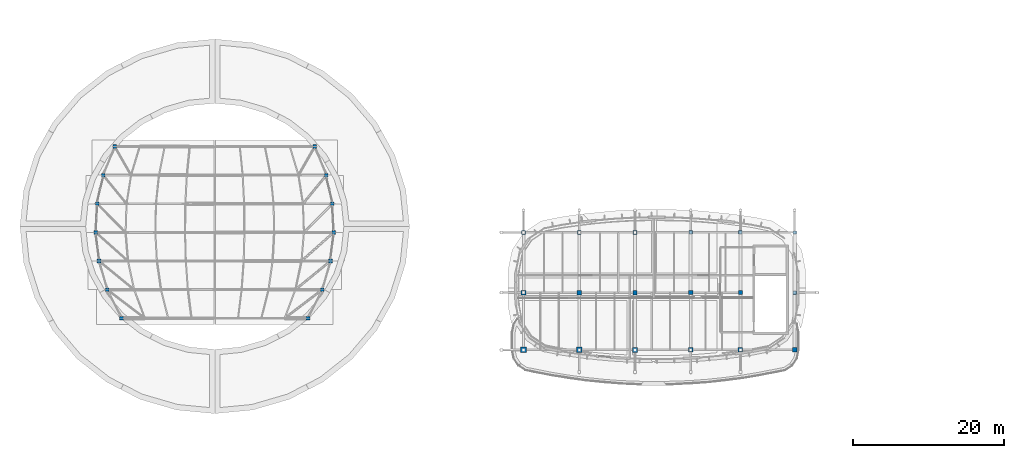
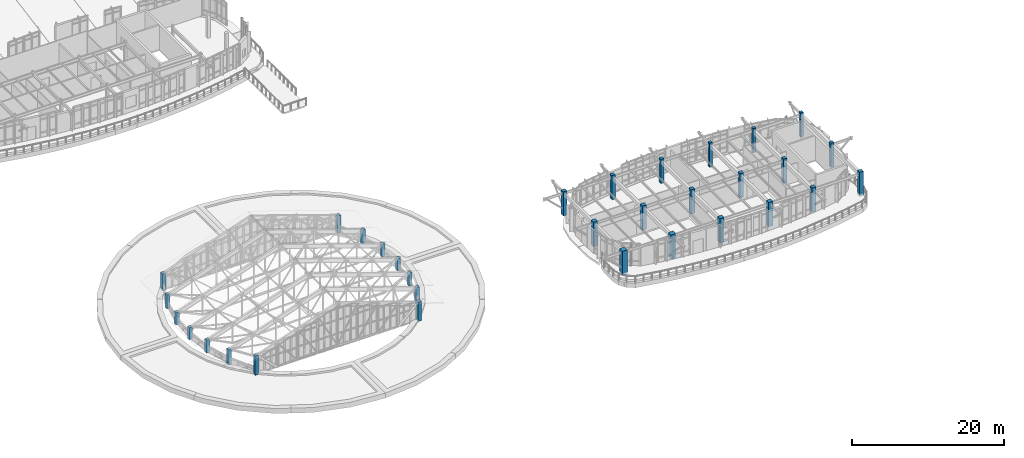
# One storey, part 1 of 105: 32 columns.
"""IFC4 building model written with IfcOpenShell, lengths in metres."""

from ifc_helpers import new_model, si_unit, direction, frame, origin, origin_2d, place, context, subcontext, project, spatial, rectangle, extrude, material, material_profile, profile_set, type_object, element, save


model = new_model("IFC4")

# Units and contexts
model_context = context("Model", 3, precision=1e-05, world=origin(), true_north=direction((0.0, 1.0)))
body_context = subcontext(model_context, "Body", "Model", "MODEL_VIEW")
ifc_project = project(units=[si_unit("LENGTHUNIT", "METRE"), si_unit("AREAUNIT", "SQUARE_METRE"), si_unit("VOLUMEUNIT", "CUBIC_METRE"), si_unit("PLANEANGLEUNIT", "RADIAN"), si_unit("MASSUNIT", "GRAM", prefix="KILO")], contexts=[model_context])

# Site, building, storey
site_placement = place(None, origin())
site = spatial("IfcSite", under=ifc_project, at=site_placement, CompositionType="ELEMENT")
building_placement = place(site_placement, origin())
building = spatial("IfcBuilding", under=site, at=building_placement, Name="Corveleigh Park Community Centre", CompositionType="ELEMENT")
storey_placement = place(building_placement, frame((0.0, 0.0, 8.699951171875)))
storey = spatial("IfcBuildingStorey", under=building, at=storey_placement, Name="L02", CompositionType="ELEMENT", Elevation=8.699951171875)

# Columns
ifc_material = material(Name="Concrete C40/50", Category="concrete")
ifc_material_profile_1 = material_profile(ifc_material, rectangle(XDim=0.425048828125, YDim=0.425048828125, at=origin_2d()), Name="RC-425x425", Category="concrete")
ifc_profile_set_1 = profile_set([ifc_material_profile_1], Name="Concrete C40/50")
column_type_1 = type_object("IfcColumnType", Name="COL-RC-425x425", PredefinedType="COLUMN", material=ifc_profile_set_1)
column_1_placement = place(storey_placement, frame((108.0, 26.800048828125, 0.0), z_axis=(0.0, 0.0, 1.0), x_axis=(1.0, 0.0, 0.0)))
element("IfcColumn", 1, at=column_1_placement, inside=storey, type_object=column_type_1, Name="Column V3-X5Y2 L02", PredefinedType="COLUMN", context=body_context, shape_type="SweptSolid", body=[
    extrude(rectangle(XDim=0.425048828125, YDim=0.425048828125, at=origin_2d()), origin(), (0.0, 0.0, 1.0), 3.900146484375),
])
ifc_material_profile_2 = material_profile(ifc_material, rectangle(XDim=0.449951171875, YDim=0.449951171875, at=origin_2d()), Name="RC-450x450", Category="concrete")
ifc_profile_set_2 = profile_set([ifc_material_profile_2], Name="Concrete C40/50")
column_type_2 = type_object("IfcColumnType", Name="COL-RC-450x450", PredefinedType="COLUMN", material=ifc_profile_set_2)
column_2_placement = place(storey_placement, frame((100.800048828125, 26.800048828125, 0.0), z_axis=(0.0, 0.0, 1.0), x_axis=(1.0, 0.0, 0.0)))
element("IfcColumn", 2, at=column_2_placement, inside=storey, type_object=column_type_2, Name="Column V3-X4Y2 L02", PredefinedType="COLUMN", context=body_context, shape_type="SweptSolid", body=[
    extrude(rectangle(XDim=0.449951171875, YDim=0.449951171875, at=origin_2d()), origin(), (0.0, 0.0, 1.0), 3.900146484375),
])
ifc_material_profile_3 = material_profile(ifc_material, rectangle(XDim=0.47509765625, YDim=0.47509765625, at=origin_2d()), Name="RC-475x475", Category="concrete")
ifc_profile_set_3 = profile_set([ifc_material_profile_3], Name="Concrete C40/50")
column_type_3 = type_object("IfcColumnType", Name="COL-RC-475x475", PredefinedType="COLUMN", material=ifc_profile_set_3)
column_3_placement = place(storey_placement, frame((94.199951171875, 26.800048828125, 0.0), z_axis=(0.0, 0.0, 1.0), x_axis=(1.0, 0.0, 0.0)))
element("IfcColumn", 3, at=column_3_placement, inside=storey, type_object=column_type_3, Name="Column V3-X3Y2 L02", PredefinedType="COLUMN", context=body_context, shape_type="SweptSolid", body=[
    extrude(rectangle(XDim=0.47509765625, YDim=0.47509765625, at=origin_2d()), origin(), (0.0, 0.0, 1.0), 3.900146484375),
])
ifc_material_profile_4 = material_profile(ifc_material, rectangle(XDim=0.5, YDim=0.5, at=origin_2d()), Name="RC-500x500", Category="concrete")
ifc_profile_set_4 = profile_set([ifc_material_profile_4], Name="Concrete C40/50")
column_type_4 = type_object("IfcColumnType", Name="COL-RC-500x500", PredefinedType="COLUMN", material=ifc_profile_set_4)
for number, where, z_axis, x_axis, name in (
    (4, (18.634033203125, 15.39990234375, 0.0), (0.0, 0.0, 1.0), (1.0, 0.0, 0.0), "Column V1-W1 L02"),
    (5, (43.365966796875, 15.39990234375, 0.0), (0.0, 0.0, 1.0), (1.0, 0.0, 0.0), "Column V1-E1 L02"),
):
    element("IfcColumn", number, at=place(storey_placement, frame(where, z_axis=z_axis, x_axis=x_axis)), inside=storey, type_object=column_type_4, Name=name, PredefinedType="COLUMN", context=body_context, shape_type="SweptSolid", body=[
        extrude(rectangle(XDim=0.5, YDim=0.5, at=origin_2d()), origin(), (0.0, 0.0, 1.0), 3.090087890625),
    ])
for number, where, z_axis, x_axis, name in (
    (6, (16.72509765625, 19.199951171875, 0.0), (0.0, 0.0, 1.0), (1.0, 0.0, 0.0), "Column V1-W2 L02"),
    (7, (45.27490234375, 19.199951171875, 0.0), (0.0, 0.0, 1.0), (1.0, 0.0, 0.0), "Column V1-E2 L02"),
):
    element("IfcColumn", number, at=place(storey_placement, frame(where, z_axis=z_axis, x_axis=x_axis)), inside=storey, type_object=column_type_4, Name=name, PredefinedType="COLUMN", context=body_context, shape_type="SweptSolid", body=[
        extrude(rectangle(XDim=0.5, YDim=0.5, at=origin_2d()), origin(), (0.0, 0.0, 1.0), 2.43798828125),
    ])
for number, where, z_axis, x_axis, name in (
    (8, (15.64111328125, 23.0, 0.0), (0.0, 0.0, 1.0), (1.0, 0.0, 0.0), "Column V1-W3 L02"),
    (9, (46.35888671875, 23.0, 0.0), (0.0, 0.0, 1.0), (1.0, 0.0, 0.0), "Column V1-E3 L02"),
):
    element("IfcColumn", number, at=place(storey_placement, frame(where, z_axis=z_axis, x_axis=x_axis)), inside=storey, type_object=column_type_4, Name=name, PredefinedType="COLUMN", context=body_context, shape_type="SweptSolid", body=[
        extrude(rectangle(XDim=0.5, YDim=0.5, at=origin_2d()), origin(), (0.0, 0.0, 1.0), 2.067138671875),
    ])
for number, where, z_axis, x_axis, name in (
    (10, (15.212890625, 26.800048828125, 0.0), (0.0, 0.0, 1.0), (1.0, 0.0, 0.0), "Column V1-W4 L02"),
    (11, (46.787109375, 26.800048828125, 0.0), (0.0, 0.0, 1.0), (1.0, 0.0, 0.0), "Column V1-E4 L02"),
):
    element("IfcColumn", number, at=place(storey_placement, frame(where, z_axis=z_axis, x_axis=x_axis)), inside=storey, type_object=column_type_4, Name=name, PredefinedType="COLUMN", context=body_context, shape_type="SweptSolid", body=[
        extrude(rectangle(XDim=0.5, YDim=0.5, at=origin_2d()), origin(), (0.0, 0.0, 1.0), 1.921142578125),
    ])
for number, where, z_axis, x_axis, name in (
    (12, (15.385986328125, 30.60009765625, 0.0), (0.0, 0.0, 1.0), (1.0, 0.0, 0.0), "Column V1-W5 L02"),
    (13, (46.614013671875, 30.60009765625, 0.0), (0.0, 0.0, 1.0), (1.0, 0.0, 0.0), "Column V1-E5 L02"),
):
    element("IfcColumn", number, at=place(storey_placement, frame(where, z_axis=z_axis, x_axis=x_axis)), inside=storey, type_object=column_type_4, Name=name, PredefinedType="COLUMN", context=body_context, shape_type="SweptSolid", body=[
        extrude(rectangle(XDim=0.5, YDim=0.5, at=origin_2d()), origin(), (0.0, 0.0, 1.0), 1.97998046875),
    ])
for number, where, z_axis, x_axis, name in (
    (14, (16.180908203125, 34.39990234375, 0.0), (0.0, 0.0, 1.0), (1.0, 0.0, 0.0), "Column V1-W6 L02"),
    (15, (45.819091796875, 34.39990234375, 0.0), (0.0, 0.0, 1.0), (1.0, 0.0, 0.0), "Column V1-E6 L02"),
):
    element("IfcColumn", number, at=place(storey_placement, frame(where, z_axis=z_axis, x_axis=x_axis)), inside=storey, type_object=column_type_4, Name=name, PredefinedType="COLUMN", context=body_context, shape_type="SweptSolid", body=[
        extrude(rectangle(XDim=0.5, YDim=0.5, at=origin_2d()), origin(), (0.0, 0.0, 1.0), 2.251953125),
    ])
for number, where, z_axis, x_axis, name in (
    (16, (17.7099609375, 38.199951171875, 0.0), (0.0, 0.0, 1.0), (1.0, 0.0, 0.0), "Column V1-W7 L02"),
    (17, (44.2900390625, 38.199951171875, 0.0), (0.0, 0.0, 1.0), (1.0, 0.0, 0.0), "Column V1-E7 L02"),
):
    element("IfcColumn", number, at=place(storey_placement, frame(where, z_axis=z_axis, x_axis=x_axis)), inside=storey, type_object=column_type_4, Name=name, PredefinedType="COLUMN", context=body_context, shape_type="SweptSolid", body=[
        extrude(rectangle(XDim=0.5, YDim=0.5, at=origin_2d()), origin(), (0.0, 0.0, 1.0), 2.774169921875),
    ])
for number, where, z_axis, x_axis, name in (
    (18, (86.800048828125, 26.800048828125, 0.0), (0.0, 0.0, 1.0), (1.0, 0.0, 0.0), "Column V3-X2Y2 L02"),
    (19, (108.0, 18.800048828125, 0.0), (0.0, 0.0, 1.0), (1.0, 0.0, 0.0), "Column V3-X5Y1 L02"),
):
    element("IfcColumn", number, at=place(storey_placement, frame(where, z_axis=z_axis, x_axis=x_axis)), inside=storey, type_object=column_type_4, Name=name, PredefinedType="COLUMN", context=body_context, shape_type="SweptSolid", body=[
        extrude(rectangle(XDim=0.5, YDim=0.5, at=origin_2d()), origin(), (0.0, 0.0, 1.0), 3.900146484375),
    ])
ifc_material_profile_5 = material_profile(ifc_material, rectangle(XDim=0.52490234375, YDim=0.52490234375, at=origin_2d()), Name="RC-525x525", Category="concrete")
ifc_profile_set_5 = profile_set([ifc_material_profile_5], Name="Concrete C40/50")
column_type_5 = type_object("IfcColumnType", Name="COL-RC-525x525", PredefinedType="COLUMN", material=ifc_profile_set_5)
for number, where, z_axis, x_axis, name in (
    (20, (79.39990234375, 26.800048828125, 0.0), (0.0, 0.0, 1.0), (1.0, 0.0, 0.0), "Column V3-X1Y2 L02"),
    (21, (100.800048828125, 18.800048828125, 0.0), (0.0, 0.0, 1.0), (1.0, 0.0, 0.0), "Column V3-X4Y1 L02"),
):
    element("IfcColumn", number, at=place(storey_placement, frame(where, z_axis=z_axis, x_axis=x_axis)), inside=storey, type_object=column_type_5, Name=name, PredefinedType="COLUMN", context=body_context, shape_type="SweptSolid", body=[
        extrude(rectangle(XDim=0.52490234375, YDim=0.52490234375, at=origin_2d()), origin(), (0.0, 0.0, 1.0), 3.900146484375),
    ])
ifc_material_profile_6 = material_profile(ifc_material, rectangle(XDim=0.550048828125, YDim=0.550048828125, at=origin_2d()), Name="RC-550x550", Category="concrete")
ifc_profile_set_6 = profile_set([ifc_material_profile_6], Name="Concrete C40/50")
column_type_6 = type_object("IfcColumnType", Name="COL-RC-550x550", PredefinedType="COLUMN", material=ifc_profile_set_6)
for number, where, z_axis, x_axis, name in (
    (22, (72.0, 26.800048828125, 0.0), (0.0, 0.0, 1.0), (1.0, 0.0, 0.0), "Column V3-X0Y2 L02"),
    (23, (94.199951171875, 18.800048828125, 0.0), (0.0, 0.0, 1.0), (1.0, 0.0, 0.0), "Column V3-X3Y1 L02"),
):
    element("IfcColumn", number, at=place(storey_placement, frame(where, z_axis=z_axis, x_axis=x_axis)), inside=storey, type_object=column_type_6, Name=name, PredefinedType="COLUMN", context=body_context, shape_type="SweptSolid", body=[
        extrude(rectangle(XDim=0.550048828125, YDim=0.550048828125, at=origin_2d()), origin(), (0.0, 0.0, 1.0), 3.900146484375),
    ])
ifc_material_profile_7 = material_profile(ifc_material, rectangle(XDim=0.574951171875, YDim=0.574951171875, at=origin_2d()), Name="RC-575x575", Category="concrete")
ifc_profile_set_7 = profile_set([ifc_material_profile_7], Name="Concrete C40/50")
column_type_7 = type_object("IfcColumnType", Name="COL-RC-575x575", PredefinedType="COLUMN", material=ifc_profile_set_7)
for number, where, z_axis, x_axis, name in (
    (24, (86.800048828125, 18.800048828125, 0.0), (0.0, 0.0, 1.0), (1.0, 0.0, 0.0), "Column V3-X2Y1 L02"),
    (25, (108.0, 11.199951171875, 0.0), (0.0, 0.0, 1.0), (1.0, 0.0, 0.0), "Column V3-X5Y0 L02"),
):
    element("IfcColumn", number, at=place(storey_placement, frame(where, z_axis=z_axis, x_axis=x_axis)), inside=storey, type_object=column_type_7, Name=name, PredefinedType="COLUMN", context=body_context, shape_type="SweptSolid", body=[
        extrude(rectangle(XDim=0.574951171875, YDim=0.574951171875, at=origin_2d()), origin(), (0.0, 0.0, 1.0), 3.900146484375),
    ])
ifc_material_profile_8 = material_profile(ifc_material, rectangle(XDim=0.60009765625, YDim=0.60009765625, at=origin_2d()), Name="RC-600x600", Category="concrete")
ifc_profile_set_8 = profile_set([ifc_material_profile_8], Name="Concrete C40/50")
column_type_8 = type_object("IfcColumnType", Name="COL-RC-600x600", PredefinedType="COLUMN", material=ifc_profile_set_8)
for number, where, z_axis, x_axis, name in (
    (26, (79.39990234375, 18.800048828125, 0.0), (0.0, 0.0, 1.0), (1.0, 0.0, 0.0), "Column V3-X1Y1 L02"),
    (27, (100.800048828125, 11.199951171875, 0.0), (0.0, 0.0, 1.0), (1.0, 0.0, 0.0), "Column V3-X4Y0 L02"),
):
    element("IfcColumn", number, at=place(storey_placement, frame(where, z_axis=z_axis, x_axis=x_axis)), inside=storey, type_object=column_type_8, Name=name, PredefinedType="COLUMN", context=body_context, shape_type="SweptSolid", body=[
        extrude(rectangle(XDim=0.60009765625, YDim=0.60009765625, at=origin_2d()), origin(), (0.0, 0.0, 1.0), 3.900146484375),
    ])
ifc_material_profile_9 = material_profile(ifc_material, rectangle(XDim=0.625, YDim=0.625, at=origin_2d()), Name="RC-625x625", Category="concrete")
ifc_profile_set_9 = profile_set([ifc_material_profile_9], Name="Concrete C40/50")
column_type_9 = type_object("IfcColumnType", Name="COL-RC-625x625", PredefinedType="COLUMN", material=ifc_profile_set_9)
for number, where, z_axis, x_axis, name in (
    (28, (72.0, 18.800048828125, 0.0), (0.0, 0.0, 1.0), (1.0, 0.0, 0.0), "Column V3-X0Y1 L02"),
    (29, (94.199951171875, 11.199951171875, 0.0), (0.0, 0.0, 1.0), (1.0, 0.0, 0.0), "Column V3-X3Y0 L02"),
):
    element("IfcColumn", number, at=place(storey_placement, frame(where, z_axis=z_axis, x_axis=x_axis)), inside=storey, type_object=column_type_9, Name=name, PredefinedType="COLUMN", context=body_context, shape_type="SweptSolid", body=[
        extrude(rectangle(XDim=0.625, YDim=0.625, at=origin_2d()), origin(), (0.0, 0.0, 1.0), 3.900146484375),
    ])
ifc_material_profile_10 = material_profile(ifc_material, rectangle(XDim=0.64990234375, YDim=0.64990234375, at=origin_2d()), Name="RC-650x650", Category="concrete")
ifc_profile_set_10 = profile_set([ifc_material_profile_10], Name="Concrete C40/50")
column_type_10 = type_object("IfcColumnType", Name="COL-RC-650x650", PredefinedType="COLUMN", material=ifc_profile_set_10)
column_4_placement = place(storey_placement, frame((86.800048828125, 11.199951171875, 0.0), z_axis=(0.0, 0.0, 1.0), x_axis=(1.0, 0.0, 0.0)))
element("IfcColumn", 30, at=column_4_placement, inside=storey, type_object=column_type_10, Name="Column V3-X2Y0 L02", PredefinedType="COLUMN", context=body_context, shape_type="SweptSolid", body=[
    extrude(rectangle(XDim=0.64990234375, YDim=0.64990234375, at=origin_2d()), origin(), (0.0, 0.0, 1.0), 3.900146484375),
])
ifc_material_profile_11 = material_profile(ifc_material, rectangle(XDim=0.699951171875, YDim=0.699951171875, at=origin_2d()), Name="RC-700x700", Category="concrete")
ifc_profile_set_11 = profile_set([ifc_material_profile_11], Name="Concrete C40/50")
column_type_11 = type_object("IfcColumnType", Name="COL-RC-700x700", PredefinedType="COLUMN", material=ifc_profile_set_11)
column_5_placement = place(storey_placement, frame((79.39990234375, 11.199951171875, 0.0), z_axis=(0.0, 0.0, 1.0), x_axis=(1.0, 0.0, 0.0)))
element("IfcColumn", 31, at=column_5_placement, inside=storey, type_object=column_type_11, Name="Column V3-X1Y0 L02", PredefinedType="COLUMN", context=body_context, shape_type="SweptSolid", body=[
    extrude(rectangle(XDim=0.699951171875, YDim=0.699951171875, at=origin_2d()), origin(), (0.0, 0.0, 1.0), 3.900146484375),
])
ifc_material_profile_12 = material_profile(ifc_material, rectangle(XDim=0.75, YDim=0.75, at=origin_2d()), Name="RC-750x750", Category="concrete")
ifc_profile_set_12 = profile_set([ifc_material_profile_12], Name="Concrete C40/50")
column_type_12 = type_object("IfcColumnType", Name="COL-RC-750x750", PredefinedType="COLUMN", material=ifc_profile_set_12)
column_6_placement = place(storey_placement, frame((72.0, 11.199951171875, 0.0), z_axis=(0.0, 0.0, 1.0), x_axis=(1.0, 0.0, 0.0)))
element("IfcColumn", 32, at=column_6_placement, inside=storey, type_object=column_type_12, Name="Column V3-X0Y0 L02", PredefinedType="COLUMN", context=body_context, shape_type="SweptSolid", body=[
    extrude(rectangle(XDim=0.75, YDim=0.75, at=origin_2d()), origin(), (0.0, 0.0, 1.0), 3.900146484375),
])

save(model, "model.ifc")
